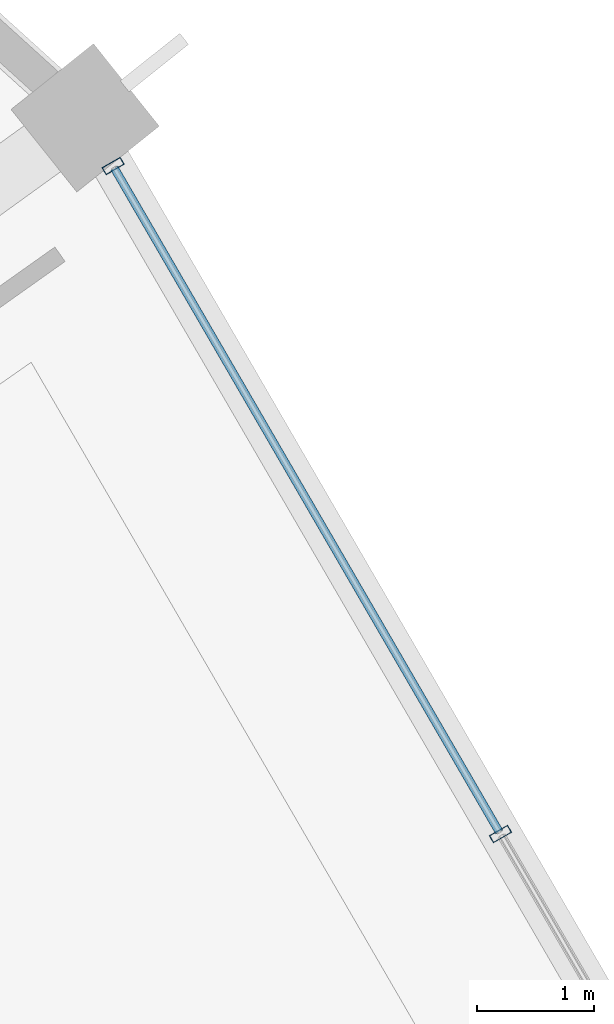
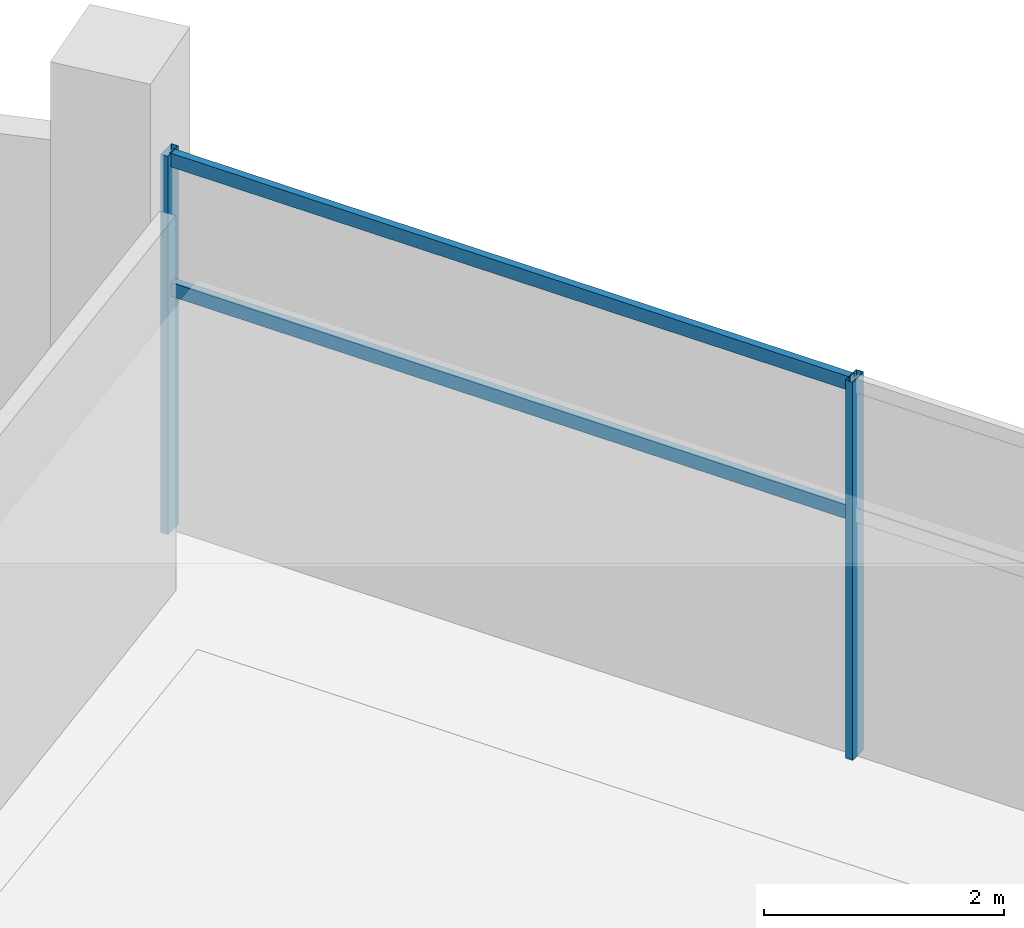
# One storey, part 91 of 156: 4 members, 1 element without a shape of its own.
"""IFC4 building model written with IfcOpenShell, lengths in metres."""

import ifcopenshell
import ifcopenshell.guid

model = None  # the IFC model being written
_history = None  # IfcOwnerHistory: only IFC2X3 demands one
_inside = {}  # id of a spatial element -> (the spatial element, [elements in it])
_under = {}  # id of a project, library or spatial element -> (it, [spatial elements below it])
_declared = {}  # id of a project -> (the project, [libraries it declares])
_typed = {}  # id of a type object -> (the type object, [elements of that type])
_made_of = {}  # id of a material, layer set ... -> (it, [elements and type objects made of it])


def new_model(schema):
    """Start an empty IFC model of exactly this schema.

    Asked for "IFC4X3", IfcOpenShell would pick the latest addendum, in which some entities
    have other attributes; the version numbers below select the first issue.
    IFC2X3 requires an IfcOwnerHistory on every rooted entity: one is made here for all.
    """
    global model, _history
    if schema == "IFC4X3":
        model = ifcopenshell.file(schema_version=(4, 3, 0, 0))
    else:
        model = ifcopenshell.file(schema=schema)
    _inside.clear()
    _under.clear()
    _declared.clear()
    _typed.clear()
    _made_of.clear()
    _history = None
    if model.schema == "IFC2X3":
        org = make("IfcOrganization", Name="unknown")
        user = make(
            "IfcPersonAndOrganization",
            ThePerson=make("IfcPerson", FamilyName="unknown"),
            TheOrganization=org,
        )
        app = make(
            "IfcApplication",
            ApplicationDeveloper=org,
            Version="unknown",
            ApplicationFullName="unknown",
            ApplicationIdentifier="unknown",
        )
        _history = make(
            "IfcOwnerHistory",
            OwningUser=user,
            OwningApplication=app,
            ChangeAction="ADDED",
            CreationDate=0,
        )
    return model


def make(cls, **values):
    """One entity of the class cls with the attributes given. An attribute that is None is left unset."""
    return model.create_entity(
        cls, **{name: value for name, value in values.items() if value is not None}
    )


def rooted(cls, **values):
    """An entity with a GlobalId (a new one), such as an element, a storey or a relation."""
    return make(cls, GlobalId=ifcopenshell.guid.new(), OwnerHistory=_history, **values)


def si_unit(unit_type, name, prefix=None):
    """IfcSIUnit, for example si_unit("LENGTHUNIT", "METRE", prefix="MILLI")."""
    return make("IfcSIUnit", UnitType=unit_type, Prefix=prefix, Name=name)


def assignment(units):
    """IfcUnitAssignment: the units of a project."""
    return None if units is None else make("IfcUnitAssignment", Units=units)


def point(xyz):
    """IfcCartesianPoint."""
    return None if xyz is None else make("IfcCartesianPoint", Coordinates=xyz)


def direction(xyz):
    """IfcDirection."""
    return None if xyz is None else make("IfcDirection", DirectionRatios=xyz)


def frame(location, z_axis=None, x_axis=None):
    """IfcAxis2Placement3D, a coordinate frame: its origin and axes. An axis left out is left unset."""
    return make(
        "IfcAxis2Placement3D",
        Location=point(location),
        Axis=direction(z_axis),
        RefDirection=direction(x_axis),
    )


def frame_2d(location, x_axis=None):
    """IfcAxis2Placement2D, a coordinate frame in the plane: its origin and x axis."""
    return make(
        "IfcAxis2Placement2D", Location=point(location), RefDirection=direction(x_axis)
    )


def origin():
    """The frame at (0, 0, 0) with its axes left unset."""
    return frame((0.0, 0.0, 0.0))


def origin_2d():
    """The frame at (0, 0) in the plane with its x axis left unset."""
    return frame_2d((0.0, 0.0))


def place(relative_to, where):
    """IfcLocalPlacement: puts the frame where relative to a parent placement (None: the world)."""
    return make(
        "IfcLocalPlacement", PlacementRelTo=relative_to, RelativePlacement=where
    )


def context(
    kind, dimensions, precision=None, world=None, true_north=None, identifier=None
):
    """IfcGeometricRepresentationContext, for example the 3D "Model" context."""
    return make(
        "IfcGeometricRepresentationContext",
        ContextIdentifier=identifier,
        ContextType=kind,
        CoordinateSpaceDimension=dimensions,
        Precision=precision,
        WorldCoordinateSystem=world,
        TrueNorth=true_north,
    )


def subcontext(parent, identifier, kind, view, scale=None):
    """IfcGeometricRepresentationSubContext, for example "Body" below "Model"."""
    return make(
        "IfcGeometricRepresentationSubContext",
        ContextIdentifier=identifier,
        ContextType=kind,
        ParentContext=parent,
        TargetScale=scale,
        TargetView=view,
    )


def project(units=None, contexts=None):
    """IfcProject with its units and contexts."""
    return rooted(
        "IfcProject",
        Name="project",
        RepresentationContexts=contexts,
        UnitsInContext=assignment(units),
    )


def spatial(cls, under=None, at=None, **own):
    """A site, building, storey or space (cls), placed at a placement, below another one or the project."""
    s = rooted(cls, ObjectPlacement=at, **own)
    if under is not None:
        _under.setdefault(under.id(), (under, []))[1].append(s)
    return s


def profile(cls, at=None, kind="AREA", **sizes):
    """A parametric profile (cls). Its sizes go by their IFC names, for example OverallWidth=200.0."""
    return make(cls, ProfileType=kind, Position=at, **sizes)


def hollow_rectangle(**sizes):
    """IfcRectangleHollowProfileDef."""
    return profile("IfcRectangleHollowProfileDef", **sizes)


def extrude(swept, where, along, depth):
    """IfcExtrudedAreaSolid: the profile swept, set in the frame where, extruded along a direction by depth."""
    return make(
        "IfcExtrudedAreaSolid",
        SweptArea=swept,
        Position=where,
        ExtrudedDirection=direction(along),
        Depth=depth,
    )


def shape(context_of_items, identifier, shape_type, items):
    """IfcShapeRepresentation: the items that make up one representation, for example the "Body"."""
    return make(
        "IfcShapeRepresentation",
        ContextOfItems=context_of_items,
        RepresentationIdentifier=identifier,
        RepresentationType=shape_type,
        Items=items,
    )


def material(Name=None, Category=None):
    """IfcMaterial."""
    return make("IfcMaterial", Name=Name, Category=Category)


def layer(
    of_material, thickness, ventilated=None, Name=None, Category=None, Priority=None
):
    """IfcMaterialLayer: one layer of a wall or slab, of a material (None: an air gap)."""
    return make(
        "IfcMaterialLayer",
        Material=of_material,
        LayerThickness=thickness,
        IsVentilated=ventilated,
        Name=Name,
        Category=Category,
        Priority=Priority,
    )


def layer_set(layers, Name=None):
    """IfcMaterialLayerSet."""
    return make("IfcMaterialLayerSet", MaterialLayers=layers, LayerSetName=Name)


def material_profile(
    of_material, cross_section, Name=None, Category=None, Priority=None
):
    """IfcMaterialProfile: a cross section and its material."""
    return make(
        "IfcMaterialProfile",
        Name=Name,
        Material=of_material,
        Profile=cross_section,
        Priority=Priority,
        Category=Category,
    )


def profile_set(profiles, Name=None, composite=None):
    """IfcMaterialProfileSet."""
    return make(
        "IfcMaterialProfileSet",
        Name=Name,
        MaterialProfiles=profiles,
        CompositeProfile=composite,
    )


def made_of(thing, what):
    """Note that an element or type object is made of a material, layer set ...; save() writes the relation."""
    if what is not None:
        _made_of.setdefault(what.id(), (what, []))[1].append(thing)
    return thing


def type_object(cls, material=None, **own):
    """A type object (cls), such as IfcWallType, which elements share."""
    return made_of(rooted(cls, **own), material)


def element(
    cls,
    number,
    at=None,
    inside=None,
    cuts=None,
    type_object=None,
    material=None,
    context=None,
    identifier="Body",
    shape_type=None,
    held_by="IfcProductDefinitionShape",
    body=None,
    shapes=None,
    **own,
):
    """One element of the class cls, such as IfcWall. Its Tag is "e" and its number.

    at: its placement. inside: the storey or other place that contains it. cuts: it is an
    opening in that element (IfcRelVoidsElement). A single representation is given by context,
    identifier, shape_type and body (its items); several are given by shapes. held_by: the class
    of the entity that holds the representations. save() writes the other relations.
    """
    e = rooted(cls, Tag="e%d" % number, ObjectPlacement=at, **own)
    if body is not None:
        shapes = [shape(context, identifier, shape_type, body)]
    if shapes is not None:
        e.Representation = make(held_by, Representations=shapes)
    if inside is not None:
        _inside.setdefault(inside.id(), (inside, []))[1].append(e)
    if cuts is not None:
        rooted(
            "IfcRelVoidsElement", RelatingBuildingElement=cuts, RelatedOpeningElement=e
        )
    if type_object is not None:
        _typed.setdefault(type_object.id(), (type_object, []))[1].append(e)
    return made_of(e, material)


def aggregate(whole, parts):
    """IfcRelAggregates: a whole, such as a stair, and the parts it consists of."""
    return rooted("IfcRelAggregates", RelatingObject=whole, RelatedObjects=parts)


def save(model, path):
    """Write the relations noted so far, then the file.

    IfcRelAggregates (storeys below a building ...), IfcRelContainedInSpatialStructure (elements
    in a storey), IfcRelDefinesByType, IfcRelAssociatesMaterial and IfcRelDeclares: one each for
    every whole, place, type object, material and project.
    """
    for whole, parts in _under.values():
        aggregate(whole, parts)
    for where, things in _inside.values():
        rooted(
            "IfcRelContainedInSpatialStructure",
            RelatedElements=things,
            RelatingStructure=where,
        )
    for kind, things in _typed.values():
        rooted("IfcRelDefinesByType", RelatedObjects=things, RelatingType=kind)
    for what, things in _made_of.values():
        rooted("IfcRelAssociatesMaterial", RelatedObjects=things, RelatingMaterial=what)
    for by, libraries in _declared.values():
        rooted("IfcRelDeclares", RelatingContext=by, RelatedDefinitions=libraries)
    model.write(path)


model = new_model("IFC4")

# Units and contexts
model_context = context("Model", 3, precision=1e-05, world=origin(), true_north=direction((0.0, 1.0)))
body_context = subcontext(model_context, "Body", "Model", "MODEL_VIEW")
ifc_project = project(units=[si_unit("LENGTHUNIT", "METRE"), si_unit("AREAUNIT", "SQUARE_METRE"), si_unit("VOLUMEUNIT", "CUBIC_METRE"), si_unit("PLANEANGLEUNIT", "RADIAN"), si_unit("MASSUNIT", "GRAM", prefix="KILO")], contexts=[model_context])

# Site, building, storey
site_placement = place(None, origin())
site = spatial("IfcSite", under=ifc_project, at=site_placement, CompositionType="ELEMENT")
building_placement = place(site_placement, origin())
building = spatial("IfcBuilding", under=site, at=building_placement, Name="Kazemori Nagisa Stadium", CompositionType="ELEMENT")
storey_placement = place(building_placement, frame((0.0, 0.0, 5.780029296875)))
storey = spatial("IfcBuildingStorey", under=building, at=storey_placement, Name="L01", CompositionType="ELEMENT", Elevation=5.780029296875)

# Curtain wall, members
ifc_material_1 = material(Name="Anodised aluminium 6063-T5", Category="aluminium")
ifc_layer = layer(ifc_material_1, 0.179931640625, Name="Anodised aluminium 6063-T5", Category="aluminium")
ifc_layer_set = layer_set([ifc_layer], Name="Anodised aluminium 6063-T5")
curtain_wall_type = type_object("IfcCurtainWallType", Name="CW_L01R3_99", PredefinedType="USERDEFINED", material=ifc_layer_set)
curtain_wall_placement = place(storey_placement, origin())
curtain_wall = element("IfcCurtainWall", 1, at=curtain_wall_placement, inside=storey, type_object=curtain_wall_type, Name="Unitised curtain wall CW-L01R3-99 L01", ObjectType="UNITISED CURTAIN WALL", PredefinedType="USERDEFINED")
ifc_material_2 = material(Name="Aluminium 6063-T5 anodised", Category="aluminium")
ifc_material_profile_1 = material_profile(ifc_material_2, hollow_rectangle(XDim=0.070068359375, YDim=0.179931640625, WallThickness=0.00390625, at=origin_2d()), Name="ALU-MULL-70x180x4")
ifc_profile_set_1 = profile_set([ifc_material_profile_1], Name="Aluminium 6063-T5 anodised")
member_type_1 = type_object("IfcMemberType", Name="Mullion_M01", PredefinedType="MULLION", material=ifc_profile_set_1)
member_1_placement = place(storey_placement, frame((205.0380859375, 152.557861328125, 0.0), z_axis=(0.0, 0.0, 1.0), x_axis=(-0.501611590054, 0.865092950337, 0.0)))
member_1 = element("IfcMember", 2, at=member_1_placement, type_object=member_type_1, Name="Curtain wall mullion CW-L01R3-99-M3", PredefinedType="MULLION", context=body_context, shape_type="SweptSolid", body=[
    extrude(hollow_rectangle(XDim=0.070068359375, YDim=0.179931640625, WallThickness=0.00390625, at=origin_2d()), origin(), (0.0, 0.0, 1.0), 3.849853515625),
])
member_2_placement = place(storey_placement, frame((201.733642578125, 158.2568359375, 0.0), z_axis=(0.0, 0.0, 1.0), x_axis=(-0.501611590054, 0.865092950337, 0.0)))
member_2 = element("IfcMember", 3, at=member_2_placement, type_object=member_type_1, Name="Curtain wall mullion CW-L01R3-99-M4", PredefinedType="MULLION", context=body_context, shape_type="SweptSolid", body=[
    extrude(hollow_rectangle(XDim=0.070068359375, YDim=0.179931640625, WallThickness=0.00390625, at=origin_2d()), origin(), (0.0, 0.0, 1.0), 3.849853515625),
])
ifc_material_profile_2 = material_profile(ifc_material_2, hollow_rectangle(XDim=0.070068359375, YDim=0.139892578125, WallThickness=0.00390625, at=origin_2d()), Name="ALU-TRAN-70x140x4")
ifc_profile_set_2 = profile_set([ifc_material_profile_2], Name="Aluminium 6063-T5 anodised")
member_type_2 = type_object("IfcMemberType", Name="Transom_T01", PredefinedType="USERDEFINED", material=ifc_profile_set_2)
member_3_placement = place(storey_placement, frame((205.02783203125, 152.5751953125, 2.4638671875), z_axis=(-0.501590295943, 0.865105297069, 0.0), x_axis=(-0.865105297069, -0.501590295943, 0.0)))
member_3 = element("IfcMember", 4, at=member_3_placement, type_object=member_type_2, Name="Curtain wall transom CW-L01R3-99-T3-mid", ObjectType="TRANSOM", PredefinedType="USERDEFINED", context=body_context, shape_type="SweptSolid", body=[
    extrude(hollow_rectangle(XDim=0.070068359375, YDim=0.139892578125, WallThickness=0.00390625, at=origin_2d()), origin(), (0.0, 0.0, 1.0), 6.547607421875),
])
member_4_placement = place(storey_placement, frame((205.02783203125, 152.5751953125, 3.780029296875), z_axis=(-0.501590295943, 0.865105297069, 0.0), x_axis=(-0.865105297069, -0.501590295943, 0.0)))
member_4 = element("IfcMember", 5, at=member_4_placement, type_object=member_type_2, Name="Curtain wall transom CW-L01R3-99-T3-head", ObjectType="TRANSOM", PredefinedType="USERDEFINED", context=body_context, shape_type="SweptSolid", body=[
    extrude(hollow_rectangle(XDim=0.070068359375, YDim=0.139892578125, WallThickness=0.00390625, at=origin_2d()), origin(), (0.0, 0.0, 1.0), 6.547607421875),
])
aggregate(curtain_wall, [member_1, member_2, member_3, member_4])

save(model, "model.ifc")
